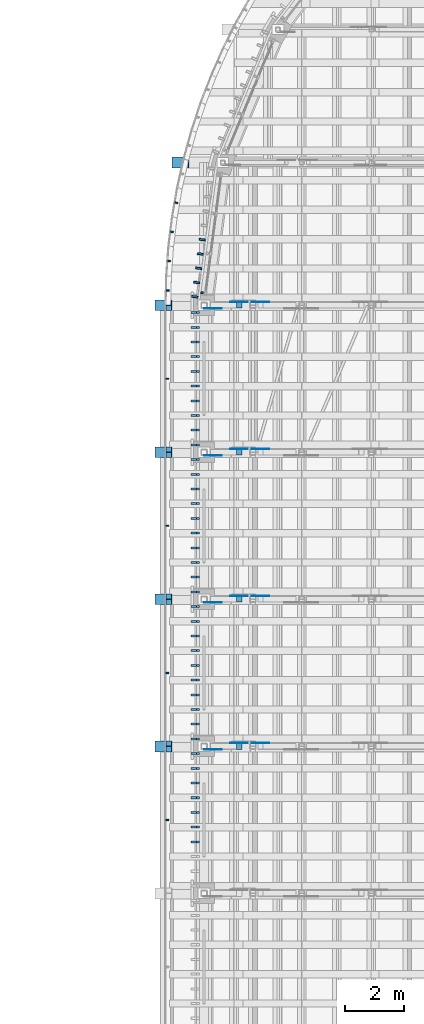
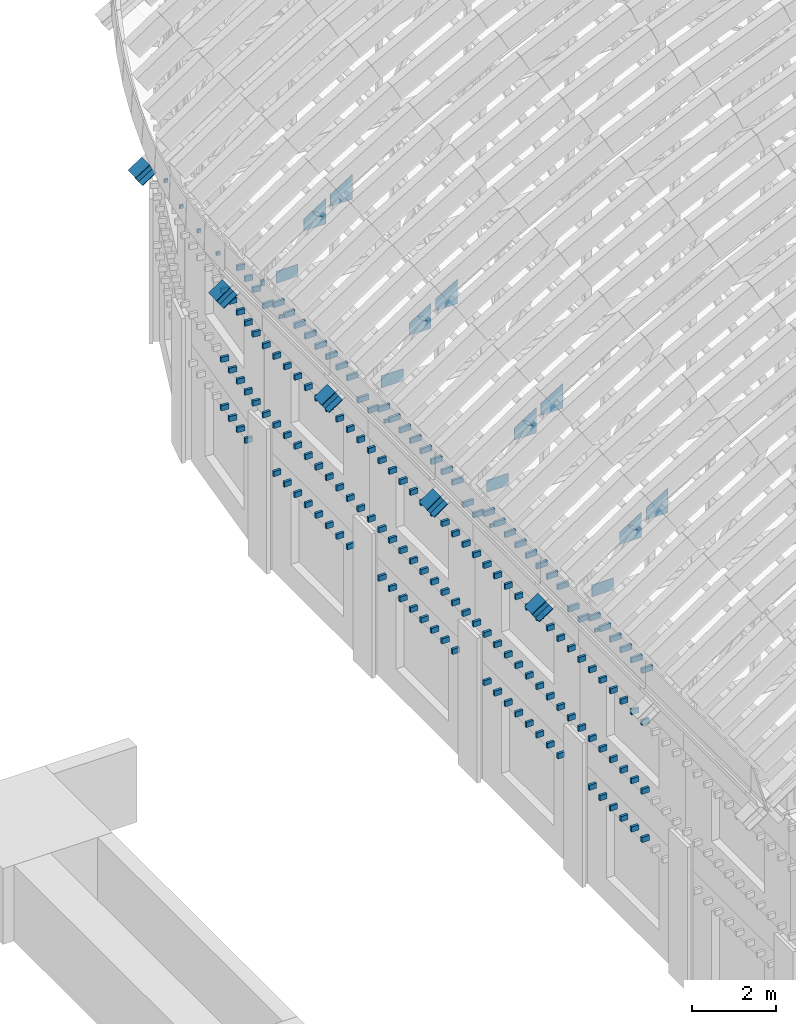
# One storey, part 74 of 105: 188 discrete accessories.
"""IFC4 building model written with IfcOpenShell, lengths in metres."""

from ifc_helpers import new_model, si_unit, direction, frame, origin, origin_2d, place, context, subcontext, project, spatial, polyline, rectangle, i_section, outline, extrude, material, material_profile, profile_set, type_object, element, save


model = new_model("IFC4")

# Units and contexts
model_context = context("Model", 3, precision=1e-05, world=origin(), true_north=direction((0.0, 1.0)))
body_context = subcontext(model_context, "Body", "Model", "MODEL_VIEW")
ifc_project = project(units=[si_unit("LENGTHUNIT", "METRE"), si_unit("AREAUNIT", "SQUARE_METRE"), si_unit("VOLUMEUNIT", "CUBIC_METRE"), si_unit("PLANEANGLEUNIT", "RADIAN"), si_unit("MASSUNIT", "GRAM", prefix="KILO")], contexts=[model_context])

# Site, building, storey
site_placement = place(None, origin())
site = spatial("IfcSite", under=ifc_project, at=site_placement, CompositionType="ELEMENT")
building_placement = place(site_placement, origin())
building = spatial("IfcBuilding", under=site, at=building_placement, Name="Wasatch Bagh Community Centre", CompositionType="ELEMENT")
storey_placement = place(building_placement, frame((0.0, 0.0, 16.800048828125)))
storey = spatial("IfcBuildingStorey", under=building, at=storey_placement, Name="L04", CompositionType="ELEMENT", Elevation=16.800048828125)

# Discrete accessories
ifc_material_1 = material(Name="ASTM A36 steel", Category="steel")
discrete_accessory_type_1 = type_object("IfcDiscreteAccessoryType", Name="MH fascia bracket", PredefinedType="BRACKET", material=ifc_material_1)
for number, where, z_axis, x_axis, name in (
    (1, (16.0, 47.5, 8.954345703125), (0.0, 0.0, 1.0), (-1.0, 0.0, 0.0), "Fascia bracket 80"),
    (2, (16.0, 52.5, 8.954345703125), (0.0, 0.0, 1.0), (-1.0, 0.0, 0.0), "Fascia bracket 81"),
    (3, (16.0, 57.5, 8.954345703125), (0.0, 0.0, 1.0), (-1.0, 0.0, 0.0), "Fascia bracket 82"),
    (4, (16.0, 62.5, 8.954345703125), (0.0, 0.0, 1.0), (-1.0, 0.0, 0.0), "Fascia bracket 83"),
    (5, (16.01220703125, 65.50048828125, 8.962646484375), (0.0, 0.0, 1.0), (-0.999698818696, 0.024541228523, 0.0), "Fascia bracket 84"),
    (6, (16.061279296875, 66.500244140625, 8.995849609375), (0.0, 0.0, 1.0), (-0.997290456679, 0.0735645636, 0.0), "Fascia bracket 85"),
    (7, (16.159423828125, 67.496337890625, 9.061767578125), (0.0, 0.0, 1.0), (-0.992479534599, 0.122410675199, 0.0), "Fascia bracket 86"),
    (8, (16.306396484375, 68.486572265625, 9.16064453125), (0.0, 0.0, 1.0), (-0.985277642389, 0.17096188876, 0.0), "Fascia bracket 87"),
):
    element("IfcDiscreteAccessory", number, at=place(storey_placement, frame(where, z_axis=z_axis, x_axis=x_axis)), inside=storey, type_object=discrete_accessory_type_1, Name=name, PredefinedType="BRACKET", context=body_context, shape_type="SweptSolid", body=[
        extrude(rectangle(XDim=0.10009765625, YDim=0.050048828125, at=origin_2d()), origin(), (0.0, 0.0, 1.0), 0.10009765625),
    ])
discrete_accessory_type_2 = type_object("IfcDiscreteAccessoryType", Name="MH fin bracket", PredefinedType="BRACKET", material=ifc_material_1)
for number, where, z_axis, x_axis, name in (
    (9, (17.1904296875, 67.2294921875, 3.02490234375), (0.0, 0.0, 1.0), (-0.13052619222, -0.991444861374, 0.0), "Fin bracket 30.6.4"),
    (10, (17.1904296875, 67.2294921875, 4.425048828125), (0.0, 0.0, 1.0), (-0.13052619222, -0.991444861374, 0.0), "Fin bracket 30.6.5"),
    (11, (17.1904296875, 67.2294921875, 6.425048828125), (0.0, 0.0, 1.0), (-0.13052619222, -0.991444861374, 0.0), "Fin bracket 30.6.6"),
    (12, (17.126708984375, 66.744140625, 3.02490234375), (0.0, 0.0, 1.0), (-0.13052619222, -0.991444861374, 0.0), "Fin bracket 30.7.4"),
    (13, (17.126708984375, 66.744140625, 4.425048828125), (0.0, 0.0, 1.0), (-0.13052619222, -0.991444861374, 0.0), "Fin bracket 30.7.5"),
    (14, (17.126708984375, 66.744140625, 6.425048828125), (0.0, 0.0, 1.0), (-0.13052619222, -0.991444861374, 0.0), "Fin bracket 30.7.6"),
    (15, (17.062744140625, 66.2587890625, 3.02490234375), (0.0, 0.0, 1.0), (-0.13052619222, -0.991444861374, 0.0), "Fin bracket 30.8.4"),
    (16, (17.062744140625, 66.2587890625, 4.425048828125), (0.0, 0.0, 1.0), (-0.13052619222, -0.991444861374, 0.0), "Fin bracket 30.8.5"),
    (17, (17.062744140625, 66.2587890625, 6.425048828125), (0.0, 0.0, 1.0), (-0.13052619222, -0.991444861374, 0.0), "Fin bracket 30.8.6"),
    (18, (16.998779296875, 65.773681640625, 3.02490234375), (0.0, 0.0, 1.0), (-0.13052619222, -0.991444861374, 0.0), "Fin bracket 30.9.4"),
    (19, (16.998779296875, 65.773681640625, 4.425048828125), (0.0, 0.0, 1.0), (-0.13052619222, -0.991444861374, 0.0), "Fin bracket 30.9.5"),
    (20, (16.998779296875, 65.773681640625, 6.425048828125), (0.0, 0.0, 1.0), (-0.13052619222, -0.991444861374, 0.0), "Fin bracket 30.9.6"),
    (21, (16.93505859375, 65.288330078125, 4.425048828125), (0.0, 0.0, 1.0), (-0.13052619222, -0.991444861374, 0.0), "Fin bracket 30.10.5"),
    (22, (16.93505859375, 65.288330078125, 6.425048828125), (0.0, 0.0, 1.0), (-0.13052619222, -0.991444861374, 0.0), "Fin bracket 30.10.6"),
    (23, (16.89990234375, 64.75, 4.425048828125), (0.0, 0.0, 1.0), (0.0, -1.0, 0.0), "Fin bracket 31.1.5"),
    (24, (16.89990234375, 64.75, 6.425048828125), (0.0, 0.0, 1.0), (0.0, -1.0, 0.0), "Fin bracket 31.1.6"),
    (25, (16.89990234375, 64.25, 3.02490234375), (0.0, 0.0, 1.0), (0.0, -1.0, 0.0), "Fin bracket 31.2.4"),
    (26, (16.89990234375, 64.25, 4.425048828125), (0.0, 0.0, 1.0), (0.0, -1.0, 0.0), "Fin bracket 31.2.5"),
    (27, (16.89990234375, 64.25, 6.425048828125), (0.0, 0.0, 1.0), (0.0, -1.0, 0.0), "Fin bracket 31.2.6"),
    (28, (16.89990234375, 63.75, 3.02490234375), (0.0, 0.0, 1.0), (0.0, -1.0, 0.0), "Fin bracket 31.3.4"),
    (29, (16.89990234375, 63.75, 4.425048828125), (0.0, 0.0, 1.0), (0.0, -1.0, 0.0), "Fin bracket 31.3.5"),
    (30, (16.89990234375, 63.75, 6.425048828125), (0.0, 0.0, 1.0), (0.0, -1.0, 0.0), "Fin bracket 31.3.6"),
    (31, (16.89990234375, 63.25, 3.02490234375), (0.0, 0.0, 1.0), (0.0, -1.0, 0.0), "Fin bracket 31.4.4"),
    (32, (16.89990234375, 63.25, 4.425048828125), (0.0, 0.0, 1.0), (0.0, -1.0, 0.0), "Fin bracket 31.4.5"),
    (33, (16.89990234375, 63.25, 6.425048828125), (0.0, 0.0, 1.0), (0.0, -1.0, 0.0), "Fin bracket 31.4.6"),
    (34, (16.89990234375, 62.75, 3.02490234375), (0.0, 0.0, 1.0), (0.0, -1.0, 0.0), "Fin bracket 31.5.4"),
    (35, (16.89990234375, 62.75, 4.425048828125), (0.0, 0.0, 1.0), (0.0, -1.0, 0.0), "Fin bracket 31.5.5"),
    (36, (16.89990234375, 62.75, 6.425048828125), (0.0, 0.0, 1.0), (0.0, -1.0, 0.0), "Fin bracket 31.5.6"),
    (37, (16.89990234375, 62.25, 3.02490234375), (0.0, 0.0, 1.0), (0.0, -1.0, 0.0), "Fin bracket 31.6.4"),
    (38, (16.89990234375, 62.25, 4.425048828125), (0.0, 0.0, 1.0), (0.0, -1.0, 0.0), "Fin bracket 31.6.5"),
    (39, (16.89990234375, 62.25, 6.425048828125), (0.0, 0.0, 1.0), (0.0, -1.0, 0.0), "Fin bracket 31.6.6"),
    (40, (16.89990234375, 61.75, 3.02490234375), (0.0, 0.0, 1.0), (0.0, -1.0, 0.0), "Fin bracket 31.7.4"),
    (41, (16.89990234375, 61.75, 4.425048828125), (0.0, 0.0, 1.0), (0.0, -1.0, 0.0), "Fin bracket 31.7.5"),
    (42, (16.89990234375, 61.75, 6.425048828125), (0.0, 0.0, 1.0), (0.0, -1.0, 0.0), "Fin bracket 31.7.6"),
    (43, (16.89990234375, 61.25, 3.02490234375), (0.0, 0.0, 1.0), (0.0, -1.0, 0.0), "Fin bracket 31.8.4"),
    (44, (16.89990234375, 61.25, 4.425048828125), (0.0, 0.0, 1.0), (0.0, -1.0, 0.0), "Fin bracket 31.8.5"),
    (45, (16.89990234375, 61.25, 6.425048828125), (0.0, 0.0, 1.0), (0.0, -1.0, 0.0), "Fin bracket 31.8.6"),
    (46, (16.89990234375, 60.75, 3.02490234375), (0.0, 0.0, 1.0), (0.0, -1.0, 0.0), "Fin bracket 31.9.4"),
    (47, (16.89990234375, 60.75, 4.425048828125), (0.0, 0.0, 1.0), (0.0, -1.0, 0.0), "Fin bracket 31.9.5"),
    (48, (16.89990234375, 60.75, 6.425048828125), (0.0, 0.0, 1.0), (0.0, -1.0, 0.0), "Fin bracket 31.9.6"),
    (49, (16.89990234375, 60.25, 4.425048828125), (0.0, 0.0, 1.0), (0.0, -1.0, 0.0), "Fin bracket 31.10.5"),
    (50, (16.89990234375, 60.25, 6.425048828125), (0.0, 0.0, 1.0), (0.0, -1.0, 0.0), "Fin bracket 31.10.6"),
    (51, (16.89990234375, 59.75, 4.425048828125), (0.0, 0.0, 1.0), (0.0, -1.0, 0.0), "Fin bracket 32.1.5"),
    (52, (16.89990234375, 59.75, 6.425048828125), (0.0, 0.0, 1.0), (0.0, -1.0, 0.0), "Fin bracket 32.1.6"),
    (53, (16.89990234375, 59.25, 3.02490234375), (0.0, 0.0, 1.0), (0.0, -1.0, 0.0), "Fin bracket 32.2.4"),
    (54, (16.89990234375, 59.25, 4.425048828125), (0.0, 0.0, 1.0), (0.0, -1.0, 0.0), "Fin bracket 32.2.5"),
    (55, (16.89990234375, 59.25, 6.425048828125), (0.0, 0.0, 1.0), (0.0, -1.0, 0.0), "Fin bracket 32.2.6"),
    (56, (16.89990234375, 58.75, 3.02490234375), (0.0, 0.0, 1.0), (0.0, -1.0, 0.0), "Fin bracket 32.3.4"),
    (57, (16.89990234375, 58.75, 4.425048828125), (0.0, 0.0, 1.0), (0.0, -1.0, 0.0), "Fin bracket 32.3.5"),
    (58, (16.89990234375, 58.75, 6.425048828125), (0.0, 0.0, 1.0), (0.0, -1.0, 0.0), "Fin bracket 32.3.6"),
    (59, (16.89990234375, 58.25, 3.02490234375), (0.0, 0.0, 1.0), (0.0, -1.0, 0.0), "Fin bracket 32.4.4"),
    (60, (16.89990234375, 58.25, 4.425048828125), (0.0, 0.0, 1.0), (0.0, -1.0, 0.0), "Fin bracket 32.4.5"),
    (61, (16.89990234375, 58.25, 6.425048828125), (0.0, 0.0, 1.0), (0.0, -1.0, 0.0), "Fin bracket 32.4.6"),
    (62, (16.89990234375, 57.75, 3.02490234375), (0.0, 0.0, 1.0), (0.0, -1.0, 0.0), "Fin bracket 32.5.4"),
    (63, (16.89990234375, 57.75, 4.425048828125), (0.0, 0.0, 1.0), (0.0, -1.0, 0.0), "Fin bracket 32.5.5"),
    (64, (16.89990234375, 57.75, 6.425048828125), (0.0, 0.0, 1.0), (0.0, -1.0, 0.0), "Fin bracket 32.5.6"),
    (65, (16.89990234375, 57.25, 3.02490234375), (0.0, 0.0, 1.0), (0.0, -1.0, 0.0), "Fin bracket 32.6.4"),
    (66, (16.89990234375, 57.25, 4.425048828125), (0.0, 0.0, 1.0), (0.0, -1.0, 0.0), "Fin bracket 32.6.5"),
    (67, (16.89990234375, 57.25, 6.425048828125), (0.0, 0.0, 1.0), (0.0, -1.0, 0.0), "Fin bracket 32.6.6"),
    (68, (16.89990234375, 56.75, 3.02490234375), (0.0, 0.0, 1.0), (0.0, -1.0, 0.0), "Fin bracket 32.7.4"),
    (69, (16.89990234375, 56.75, 4.425048828125), (0.0, 0.0, 1.0), (0.0, -1.0, 0.0), "Fin bracket 32.7.5"),
    (70, (16.89990234375, 56.75, 6.425048828125), (0.0, 0.0, 1.0), (0.0, -1.0, 0.0), "Fin bracket 32.7.6"),
    (71, (16.89990234375, 56.25, 3.02490234375), (0.0, 0.0, 1.0), (0.0, -1.0, 0.0), "Fin bracket 32.8.4"),
    (72, (16.89990234375, 56.25, 4.425048828125), (0.0, 0.0, 1.0), (0.0, -1.0, 0.0), "Fin bracket 32.8.5"),
    (73, (16.89990234375, 56.25, 6.425048828125), (0.0, 0.0, 1.0), (0.0, -1.0, 0.0), "Fin bracket 32.8.6"),
    (74, (16.89990234375, 55.75, 3.02490234375), (0.0, 0.0, 1.0), (0.0, -1.0, 0.0), "Fin bracket 32.9.4"),
    (75, (16.89990234375, 55.75, 4.425048828125), (0.0, 0.0, 1.0), (0.0, -1.0, 0.0), "Fin bracket 32.9.5"),
    (76, (16.89990234375, 55.75, 6.425048828125), (0.0, 0.0, 1.0), (0.0, -1.0, 0.0), "Fin bracket 32.9.6"),
    (77, (16.89990234375, 55.25, 4.425048828125), (0.0, 0.0, 1.0), (0.0, -1.0, 0.0), "Fin bracket 32.10.5"),
    (78, (16.89990234375, 55.25, 6.425048828125), (0.0, 0.0, 1.0), (0.0, -1.0, 0.0), "Fin bracket 32.10.6"),
    (79, (16.89990234375, 54.75, 4.425048828125), (0.0, 0.0, 1.0), (0.0, -1.0, 0.0), "Fin bracket 33.1.5"),
    (80, (16.89990234375, 54.75, 6.425048828125), (0.0, 0.0, 1.0), (0.0, -1.0, 0.0), "Fin bracket 33.1.6"),
    (81, (16.89990234375, 54.25, 3.02490234375), (0.0, 0.0, 1.0), (0.0, -1.0, 0.0), "Fin bracket 33.2.4"),
    (82, (16.89990234375, 54.25, 4.425048828125), (0.0, 0.0, 1.0), (0.0, -1.0, 0.0), "Fin bracket 33.2.5"),
    (83, (16.89990234375, 54.25, 6.425048828125), (0.0, 0.0, 1.0), (0.0, -1.0, 0.0), "Fin bracket 33.2.6"),
    (84, (16.89990234375, 53.75, 3.02490234375), (0.0, 0.0, 1.0), (0.0, -1.0, 0.0), "Fin bracket 33.3.4"),
    (85, (16.89990234375, 53.75, 4.425048828125), (0.0, 0.0, 1.0), (0.0, -1.0, 0.0), "Fin bracket 33.3.5"),
    (86, (16.89990234375, 53.75, 6.425048828125), (0.0, 0.0, 1.0), (0.0, -1.0, 0.0), "Fin bracket 33.3.6"),
    (87, (16.89990234375, 53.25, 3.02490234375), (0.0, 0.0, 1.0), (0.0, -1.0, 0.0), "Fin bracket 33.4.4"),
    (88, (16.89990234375, 53.25, 4.425048828125), (0.0, 0.0, 1.0), (0.0, -1.0, 0.0), "Fin bracket 33.4.5"),
    (89, (16.89990234375, 53.25, 6.425048828125), (0.0, 0.0, 1.0), (0.0, -1.0, 0.0), "Fin bracket 33.4.6"),
    (90, (16.89990234375, 52.75, 3.02490234375), (0.0, 0.0, 1.0), (0.0, -1.0, 0.0), "Fin bracket 33.5.4"),
    (91, (16.89990234375, 52.75, 4.425048828125), (0.0, 0.0, 1.0), (0.0, -1.0, 0.0), "Fin bracket 33.5.5"),
    (92, (16.89990234375, 52.75, 6.425048828125), (0.0, 0.0, 1.0), (0.0, -1.0, 0.0), "Fin bracket 33.5.6"),
    (93, (16.89990234375, 52.25, 3.02490234375), (0.0, 0.0, 1.0), (0.0, -1.0, 0.0), "Fin bracket 33.6.4"),
    (94, (16.89990234375, 52.25, 4.425048828125), (0.0, 0.0, 1.0), (0.0, -1.0, 0.0), "Fin bracket 33.6.5"),
    (95, (16.89990234375, 52.25, 6.425048828125), (0.0, 0.0, 1.0), (0.0, -1.0, 0.0), "Fin bracket 33.6.6"),
    (96, (16.89990234375, 51.75, 3.02490234375), (0.0, 0.0, 1.0), (0.0, -1.0, 0.0), "Fin bracket 33.7.4"),
    (97, (16.89990234375, 51.75, 4.425048828125), (0.0, 0.0, 1.0), (0.0, -1.0, 0.0), "Fin bracket 33.7.5"),
    (98, (16.89990234375, 51.75, 6.425048828125), (0.0, 0.0, 1.0), (0.0, -1.0, 0.0), "Fin bracket 33.7.6"),
    (99, (16.89990234375, 51.25, 3.02490234375), (0.0, 0.0, 1.0), (0.0, -1.0, 0.0), "Fin bracket 33.8.4"),
    (100, (16.89990234375, 51.25, 4.425048828125), (0.0, 0.0, 1.0), (0.0, -1.0, 0.0), "Fin bracket 33.8.5"),
    (101, (16.89990234375, 51.25, 6.425048828125), (0.0, 0.0, 1.0), (0.0, -1.0, 0.0), "Fin bracket 33.8.6"),
    (102, (16.89990234375, 50.75, 3.02490234375), (0.0, 0.0, 1.0), (0.0, -1.0, 0.0), "Fin bracket 33.9.4"),
    (103, (16.89990234375, 50.75, 4.425048828125), (0.0, 0.0, 1.0), (0.0, -1.0, 0.0), "Fin bracket 33.9.5"),
    (104, (16.89990234375, 50.75, 6.425048828125), (0.0, 0.0, 1.0), (0.0, -1.0, 0.0), "Fin bracket 33.9.6"),
    (105, (16.89990234375, 50.25, 4.425048828125), (0.0, 0.0, 1.0), (0.0, -1.0, 0.0), "Fin bracket 33.10.5"),
    (106, (16.89990234375, 50.25, 6.425048828125), (0.0, 0.0, 1.0), (0.0, -1.0, 0.0), "Fin bracket 33.10.6"),
    (107, (16.89990234375, 49.75, 4.425048828125), (0.0, 0.0, 1.0), (0.0, -1.0, 0.0), "Fin bracket 34.1.5"),
    (108, (16.89990234375, 49.75, 6.425048828125), (0.0, 0.0, 1.0), (0.0, -1.0, 0.0), "Fin bracket 34.1.6"),
    (109, (16.89990234375, 49.25, 3.02490234375), (0.0, 0.0, 1.0), (0.0, -1.0, 0.0), "Fin bracket 34.2.4"),
    (110, (16.89990234375, 49.25, 4.425048828125), (0.0, 0.0, 1.0), (0.0, -1.0, 0.0), "Fin bracket 34.2.5"),
    (111, (16.89990234375, 49.25, 6.425048828125), (0.0, 0.0, 1.0), (0.0, -1.0, 0.0), "Fin bracket 34.2.6"),
    (112, (16.89990234375, 48.75, 3.02490234375), (0.0, 0.0, 1.0), (0.0, -1.0, 0.0), "Fin bracket 34.3.4"),
    (113, (16.89990234375, 48.75, 4.425048828125), (0.0, 0.0, 1.0), (0.0, -1.0, 0.0), "Fin bracket 34.3.5"),
    (114, (16.89990234375, 48.75, 6.425048828125), (0.0, 0.0, 1.0), (0.0, -1.0, 0.0), "Fin bracket 34.3.6"),
    (115, (16.89990234375, 48.25, 3.02490234375), (0.0, 0.0, 1.0), (0.0, -1.0, 0.0), "Fin bracket 34.4.4"),
    (116, (16.89990234375, 48.25, 4.425048828125), (0.0, 0.0, 1.0), (0.0, -1.0, 0.0), "Fin bracket 34.4.5"),
    (117, (16.89990234375, 48.25, 6.425048828125), (0.0, 0.0, 1.0), (0.0, -1.0, 0.0), "Fin bracket 34.4.6"),
    (118, (16.89990234375, 47.75, 3.02490234375), (0.0, 0.0, 1.0), (0.0, -1.0, 0.0), "Fin bracket 34.5.4"),
    (119, (16.89990234375, 47.75, 4.425048828125), (0.0, 0.0, 1.0), (0.0, -1.0, 0.0), "Fin bracket 34.5.5"),
    (120, (16.89990234375, 47.75, 6.425048828125), (0.0, 0.0, 1.0), (0.0, -1.0, 0.0), "Fin bracket 34.5.6"),
    (121, (16.89990234375, 47.25, 3.02490234375), (0.0, 0.0, 1.0), (0.0, -1.0, 0.0), "Fin bracket 34.6.4"),
    (122, (16.89990234375, 47.25, 4.425048828125), (0.0, 0.0, 1.0), (0.0, -1.0, 0.0), "Fin bracket 34.6.5"),
    (123, (16.89990234375, 47.25, 6.425048828125), (0.0, 0.0, 1.0), (0.0, -1.0, 0.0), "Fin bracket 34.6.6"),
    (124, (16.89990234375, 46.75, 3.02490234375), (0.0, 0.0, 1.0), (0.0, -1.0, 0.0), "Fin bracket 34.7.4"),
    (125, (16.89990234375, 46.75, 4.425048828125), (0.0, 0.0, 1.0), (0.0, -1.0, 0.0), "Fin bracket 34.7.5"),
    (126, (16.89990234375, 46.75, 6.425048828125), (0.0, 0.0, 1.0), (0.0, -1.0, 0.0), "Fin bracket 34.7.6"),
):
    element("IfcDiscreteAccessory", number, at=place(storey_placement, frame(where, z_axis=z_axis, x_axis=x_axis)), inside=storey, type_object=discrete_accessory_type_2, Name=name, PredefinedType="BRACKET", context=body_context, shape_type="SweptSolid", body=[
        extrude(rectangle(XDim=0.070068359375, YDim=0.199951171875, at=origin_2d()), origin(), (0.0, 0.0, 1.0), 0.14990234375),
    ])
discrete_accessory_type_3 = type_object("IfcDiscreteAccessoryType", Name="MH fin bracket (rail)", PredefinedType="BRACKET", material=ifc_material_1)
for number, where, z_axis, x_axis, name in (
    (127, (17.067626953125, 66.25830078125, 7.715087890625), (0.0, 0.0, 1.0), (-0.13052619222, -0.991444861374, 0.0), "Fin bracket 30.8.r1"),
    (128, (17.00390625, 65.77294921875, 7.715087890625), (0.0, 0.0, 1.0), (-0.13052619222, -0.991444861374, 0.0), "Fin bracket 30.9.r1"),
    (129, (16.93994140625, 65.28759765625, 7.715087890625), (0.0, 0.0, 1.0), (-0.13052619222, -0.991444861374, 0.0), "Fin bracket 30.10.r1"),
):
    element("IfcDiscreteAccessory", number, at=place(storey_placement, frame(where, z_axis=z_axis, x_axis=x_axis)), inside=storey, type_object=discrete_accessory_type_3, Name=name, PredefinedType="BRACKET", context=body_context, shape_type="SweptSolid", body=[
        extrude(rectangle(XDim=0.070068359375, YDim=0.2099609375, at=origin_2d()), origin(), (0.0, 0.0, 1.0), 0.14990234375),
    ])
discrete_accessory_type_4 = type_object("IfcDiscreteAccessoryType", Name="MH fin bracket (upstand)", PredefinedType="BRACKET", material=ifc_material_1)
for number, where, z_axis, x_axis, name in (
    (130, (16.949951171875, 64.75, 7.5849609375), (0.0, 0.0, 1.0), (0.0, -1.0, 0.0), "Fin bracket 31.1.7"),
    (131, (16.949951171875, 64.25, 7.925048828125), (0.0, 0.0, 1.0), (0.0, -1.0, 0.0), "Fin bracket 31.2.7"),
    (132, (16.949951171875, 63.75, 7.925048828125), (0.0, 0.0, 1.0), (0.0, -1.0, 0.0), "Fin bracket 31.3.7"),
    (133, (16.949951171875, 63.25, 7.925048828125), (0.0, 0.0, 1.0), (0.0, -1.0, 0.0), "Fin bracket 31.4.7"),
    (134, (16.949951171875, 62.75, 7.925048828125), (0.0, 0.0, 1.0), (0.0, -1.0, 0.0), "Fin bracket 31.5.7"),
    (135, (16.949951171875, 62.25, 7.925048828125), (0.0, 0.0, 1.0), (0.0, -1.0, 0.0), "Fin bracket 31.6.7"),
    (136, (16.949951171875, 61.75, 7.925048828125), (0.0, 0.0, 1.0), (0.0, -1.0, 0.0), "Fin bracket 31.7.7"),
    (137, (16.949951171875, 61.25, 7.925048828125), (0.0, 0.0, 1.0), (0.0, -1.0, 0.0), "Fin bracket 31.8.7"),
    (138, (16.949951171875, 60.75, 7.925048828125), (0.0, 0.0, 1.0), (0.0, -1.0, 0.0), "Fin bracket 31.9.7"),
    (139, (16.949951171875, 60.25, 7.5849609375), (0.0, 0.0, 1.0), (0.0, -1.0, 0.0), "Fin bracket 31.10.7"),
    (140, (16.949951171875, 59.75, 7.5849609375), (0.0, 0.0, 1.0), (0.0, -1.0, 0.0), "Fin bracket 32.1.7"),
    (141, (16.949951171875, 59.25, 7.925048828125), (0.0, 0.0, 1.0), (0.0, -1.0, 0.0), "Fin bracket 32.2.7"),
    (142, (16.949951171875, 58.75, 7.925048828125), (0.0, 0.0, 1.0), (0.0, -1.0, 0.0), "Fin bracket 32.3.7"),
    (143, (16.949951171875, 58.25, 7.925048828125), (0.0, 0.0, 1.0), (0.0, -1.0, 0.0), "Fin bracket 32.4.7"),
    (144, (16.949951171875, 57.75, 7.925048828125), (0.0, 0.0, 1.0), (0.0, -1.0, 0.0), "Fin bracket 32.5.7"),
    (145, (16.949951171875, 57.25, 7.925048828125), (0.0, 0.0, 1.0), (0.0, -1.0, 0.0), "Fin bracket 32.6.7"),
    (146, (16.949951171875, 56.75, 7.925048828125), (0.0, 0.0, 1.0), (0.0, -1.0, 0.0), "Fin bracket 32.7.7"),
    (147, (16.949951171875, 56.25, 7.925048828125), (0.0, 0.0, 1.0), (0.0, -1.0, 0.0), "Fin bracket 32.8.7"),
    (148, (16.949951171875, 55.75, 7.925048828125), (0.0, 0.0, 1.0), (0.0, -1.0, 0.0), "Fin bracket 32.9.7"),
    (149, (16.949951171875, 55.25, 7.5849609375), (0.0, 0.0, 1.0), (0.0, -1.0, 0.0), "Fin bracket 32.10.7"),
    (150, (16.949951171875, 54.75, 7.5849609375), (0.0, 0.0, 1.0), (0.0, -1.0, 0.0), "Fin bracket 33.1.7"),
    (151, (16.949951171875, 54.25, 7.925048828125), (0.0, 0.0, 1.0), (0.0, -1.0, 0.0), "Fin bracket 33.2.7"),
    (152, (16.949951171875, 53.75, 7.925048828125), (0.0, 0.0, 1.0), (0.0, -1.0, 0.0), "Fin bracket 33.3.7"),
    (153, (16.949951171875, 53.25, 7.925048828125), (0.0, 0.0, 1.0), (0.0, -1.0, 0.0), "Fin bracket 33.4.7"),
    (154, (16.949951171875, 52.75, 7.925048828125), (0.0, 0.0, 1.0), (0.0, -1.0, 0.0), "Fin bracket 33.5.7"),
    (155, (16.949951171875, 52.25, 7.925048828125), (0.0, 0.0, 1.0), (0.0, -1.0, 0.0), "Fin bracket 33.6.7"),
    (156, (16.949951171875, 51.75, 7.925048828125), (0.0, 0.0, 1.0), (0.0, -1.0, 0.0), "Fin bracket 33.7.7"),
    (157, (16.949951171875, 51.25, 7.925048828125), (0.0, 0.0, 1.0), (0.0, -1.0, 0.0), "Fin bracket 33.8.7"),
    (158, (16.949951171875, 50.75, 7.925048828125), (0.0, 0.0, 1.0), (0.0, -1.0, 0.0), "Fin bracket 33.9.7"),
    (159, (16.949951171875, 50.25, 7.5849609375), (0.0, 0.0, 1.0), (0.0, -1.0, 0.0), "Fin bracket 33.10.7"),
    (160, (16.949951171875, 49.75, 7.5849609375), (0.0, 0.0, 1.0), (0.0, -1.0, 0.0), "Fin bracket 34.1.7"),
    (161, (16.949951171875, 49.25, 7.925048828125), (0.0, 0.0, 1.0), (0.0, -1.0, 0.0), "Fin bracket 34.2.7"),
    (162, (16.949951171875, 48.75, 7.925048828125), (0.0, 0.0, 1.0), (0.0, -1.0, 0.0), "Fin bracket 34.3.7"),
    (163, (16.949951171875, 48.25, 7.925048828125), (0.0, 0.0, 1.0), (0.0, -1.0, 0.0), "Fin bracket 34.4.7"),
    (164, (16.949951171875, 47.75, 7.925048828125), (0.0, 0.0, 1.0), (0.0, -1.0, 0.0), "Fin bracket 34.5.7"),
    (165, (16.949951171875, 47.25, 7.925048828125), (0.0, 0.0, 1.0), (0.0, -1.0, 0.0), "Fin bracket 34.6.7"),
    (166, (16.949951171875, 46.75, 7.925048828125), (0.0, 0.0, 1.0), (0.0, -1.0, 0.0), "Fin bracket 34.7.7"),
):
    element("IfcDiscreteAccessory", number, at=place(storey_placement, frame(where, z_axis=z_axis, x_axis=x_axis)), inside=storey, type_object=discrete_accessory_type_4, Name=name, PredefinedType="BRACKET", context=body_context, shape_type="SweptSolid", body=[
        extrude(rectangle(XDim=0.070068359375, YDim=0.300048828125, at=origin_2d()), origin(), (0.0, 0.0, 1.0), 0.14990234375),
    ])
discrete_accessory_type_5 = type_object("IfcDiscreteAccessoryType", Name="MH fin rail stand-off", PredefinedType="BRACKET", material=ifc_material_1)
discrete_accessory_1_placement = place(storey_placement, frame((17.185302734375, 65.428466796875, 7.715087890625), z_axis=(0.0, 0.0, 1.0), x_axis=(-0.13052619222, -0.991444861374, 0.0)))
element("IfcDiscreteAccessory", 167, at=discrete_accessory_1_placement, inside=storey, type_object=discrete_accessory_type_5, Name="Rail stand-off 30.1.4", PredefinedType="BRACKET", context=body_context, shape_type="SweptSolid", body=[
    extrude(rectangle(XDim=0.070068359375, YDim=0.080078125, at=origin_2d()), origin(), (0.0, 0.0, 1.0), 0.14990234375),
])
ifc_material_2 = material(Name="ASTM A992 Grade 50 steel", Category="steel")
ifc_material_profile_1 = material_profile(ifc_material_2, i_section(OverallWidth=0.373291015625, OverallDepth=0.368408203125, WebThickness=0.014892578125, FlangeThickness=0.02392578125, at=origin_2d()), Name="W14x120")
ifc_profile_set_1 = profile_set([ifc_material_profile_1], Name="ASTM A992 Grade 50 steel")
discrete_accessory_type_6 = type_object("IfcDiscreteAccessoryType", Name="MH steel truss tail W14x120", PredefinedType="BRACKET", material=ifc_profile_set_1)
for number, where, z_axis, x_axis, name in (
    (168, (16.050048828125, 50.0, 8.309326171875), (-0.828949288675, 0.0, -0.559323767424), (0.0, -1.0, 0.0), "Truss tail TA4"),
    (169, (16.050048828125, 55.0, 8.309326171875), (-0.828949288675, 0.0, -0.559323767424), (0.0, -1.0, 0.0), "Truss tail TA5"),
    (170, (16.050048828125, 60.0, 8.309326171875), (-0.828949288675, 0.0, -0.559323767424), (0.0, -1.0, 0.0), "Truss tail TA6"),
    (171, (16.050048828125, 65.0, 8.309326171875), (-0.828949288675, 0.0, -0.559323767424), (0.0, -1.0, 0.0), "Truss tail TA7"),
):
    element("IfcDiscreteAccessory", number, at=place(storey_placement, frame(where, z_axis=z_axis, x_axis=x_axis)), inside=storey, type_object=discrete_accessory_type_6, Name=name, PredefinedType="BRACKET", context=body_context, shape_type="SweptSolid", body=[
        extrude(i_section(OverallWidth=0.373291015625, OverallDepth=0.368408203125, WebThickness=0.014892578125, FlangeThickness=0.02392578125, at=origin_2d()), origin(), (0.0, 0.0, 1.0), 0.449951171875),
    ])
ifc_material_profile_2 = material_profile(ifc_material_2, i_section(OverallWidth=0.368408203125, OverallDepth=0.355712890625, WebThickness=0.01123046875, FlangeThickness=0.01806640625, at=origin_2d()), Name="W14x90")
ifc_profile_set_2 = profile_set([ifc_material_profile_2], Name="ASTM A992 Grade 50 steel")
discrete_accessory_type_7 = type_object("IfcDiscreteAccessoryType", Name="MH steel truss tail W14x90", PredefinedType="BRACKET", material=ifc_profile_set_2)
discrete_accessory_2_placement = place(storey_placement, frame((16.63720703125, 69.852783203125, 8.71337890625), z_axis=(-0.844197227368, 0.0, -0.536032686787), x_axis=(0.0, -1.0, 0.0)))
element("IfcDiscreteAccessory", 172, at=discrete_accessory_2_placement, inside=storey, type_object=discrete_accessory_type_7, Name="Truss tail TN1", PredefinedType="BRACKET", context=body_context, shape_type="SweptSolid", body=[
    extrude(i_section(OverallWidth=0.368408203125, OverallDepth=0.355712890625, WebThickness=0.01123046875, FlangeThickness=0.01806640625, at=origin_2d()), origin(), (0.0, 0.0, 1.0), 0.449951171875),
])
for number, where, z_axis, x_axis, name in (
    (173, (18.441650390625, 50.0, 9.59521484375), (0.526354614616, 0.0, 0.850265146688), (0.0, 1.0, 0.0), "MH.TA4.WB01.EPB"),
    (174, (18.441650390625, 55.0, 9.59521484375), (0.526354614616, 0.0, 0.850265146688), (0.0, 1.0, 0.0), "MH.TA5.WB01.EPB"),
    (175, (18.441650390625, 60.0, 9.59521484375), (0.526354614616, 0.0, 0.850265146688), (0.0, 1.0, 0.0), "MH.TA6.WB01.EPB"),
    (176, (18.441650390625, 65.0, 9.59521484375), (0.526354614616, 0.0, 0.850265146688), (0.0, 1.0, 0.0), "MH.TA7.WB01.EPB"),
):
    element("IfcDiscreteAccessory", number, at=place(storey_placement, frame(where, z_axis=z_axis, x_axis=x_axis)), inside=storey, Name=name, PredefinedType="NOTDEFINED", context=body_context, shape_type="SweptSolid", body=[
        extrude(rectangle(XDim=0.203125, YDim=0.203125, at=origin_2d()), origin(), (0.0, 0.0, 1.0), 0.011962890625),
    ])
discrete_accessory_3_placement = place(storey_placement, frame((17.253662109375, 49.885986328125, 8.071044921875), z_axis=(0.0, -1.0, 0.0), x_axis=(1.0, 0.0, 0.0)))
element("IfcDiscreteAccessory", 177, at=discrete_accessory_3_placement, inside=storey, Name="Gusset plate", PredefinedType="BRACKET", context=body_context, shape_type="SweptSolid", body=[
    extrude(outline(polyline([(0.0, 0.0), (0.60009765625, 0.0), (0.60009765625, 0.35009765625), (0.0, 0.35009765625), (0.0, 0.0)])), origin(), (0.0, 0.0, -1.0), 0.011962890625),
])
discrete_accessory_4_placement = place(storey_placement, frame((18.141845703125, 50.114013671875, 9.498779296875), z_axis=(0.0, 1.0, 0.0), x_axis=(0.827827839308, 0.0, 0.560982235429)))
element("IfcDiscreteAccessory", 178, at=discrete_accessory_4_placement, inside=storey, Name="Gusset plate", PredefinedType="BRACKET", context=body_context, shape_type="SweptSolid", body=[
    extrude(outline(polyline([(0.0, 0.0), (0.16102476254170145, 1.3877787807814457e-17), (0.7121482030626562, 0.018391682953378674), (0.30031383247336385, 0.6261256460391993), (-0.19626160726786032, 0.28961847991419387), (0.0, 0.0)])), origin(), (0.0, 0.0, -1.0), 0.011962890625),
])
discrete_accessory_5_placement = place(storey_placement, frame((18.868408203125, 50.114013671875, 9.9599609375), z_axis=(0.0, 1.0, 0.0), x_axis=(0.854563028529, 0.0, 0.519347696896)))
element("IfcDiscreteAccessory", 179, at=discrete_accessory_5_placement, inside=storey, Name="Gusset plate", PredefinedType="BRACKET", context=body_context, shape_type="SweptSolid", body=[
    extrude(outline(polyline([(0.0, 0.0), (0.05170999873591953, 0.0), (0.7011551236280127, 0.0012944501589451374), (0.3307902255241295, 0.6107130552207892), (-0.1818224114621597, 0.2991805134059173), (0.0, 0.0)])), origin(), (0.0, 0.0, -1.0), 0.011962890625),
])
discrete_accessory_6_placement = place(storey_placement, frame((17.253662109375, 54.885986328125, 8.071044921875), z_axis=(0.0, -1.0, 0.0), x_axis=(1.0, 0.0, 0.0)))
element("IfcDiscreteAccessory", 180, at=discrete_accessory_6_placement, inside=storey, Name="Gusset plate", PredefinedType="BRACKET", context=body_context, shape_type="SweptSolid", body=[
    extrude(outline(polyline([(0.0, 0.0), (0.60009765625, 0.0), (0.60009765625, 0.35009765625), (0.0, 0.35009765625), (0.0, 0.0)])), origin(), (0.0, 0.0, -1.0), 0.011962890625),
])
discrete_accessory_7_placement = place(storey_placement, frame((18.141845703125, 55.114013671875, 9.498779296875), z_axis=(0.0, 1.0, 0.0), x_axis=(0.827827839308, 0.0, 0.560982235429)))
element("IfcDiscreteAccessory", 181, at=discrete_accessory_7_placement, inside=storey, Name="Gusset plate", PredefinedType="BRACKET", context=body_context, shape_type="SweptSolid", body=[
    extrude(outline(polyline([(0.0, 0.0), (0.16102476254170145, 1.3877787807814457e-17), (0.7121482030626562, 0.018391682953378674), (0.30031383247336385, 0.6261256460391993), (-0.19626160726786032, 0.28961847991419387), (0.0, 0.0)])), origin(), (0.0, 0.0, -1.0), 0.011962890625),
])
discrete_accessory_8_placement = place(storey_placement, frame((18.868408203125, 55.114013671875, 9.9599609375), z_axis=(0.0, 1.0, 0.0), x_axis=(0.854563028529, 0.0, 0.519347696896)))
element("IfcDiscreteAccessory", 182, at=discrete_accessory_8_placement, inside=storey, Name="Gusset plate", PredefinedType="BRACKET", context=body_context, shape_type="SweptSolid", body=[
    extrude(outline(polyline([(0.0, 0.0), (0.05170999873591953, 0.0), (0.7011551236280127, 0.0012944501589451374), (0.3307902255241295, 0.6107130552207892), (-0.1818224114621597, 0.2991805134059173), (0.0, 0.0)])), origin(), (0.0, 0.0, -1.0), 0.011962890625),
])
discrete_accessory_9_placement = place(storey_placement, frame((17.253662109375, 59.885986328125, 8.071044921875), z_axis=(0.0, -1.0, 0.0), x_axis=(1.0, 0.0, 0.0)))
element("IfcDiscreteAccessory", 183, at=discrete_accessory_9_placement, inside=storey, Name="Gusset plate", PredefinedType="BRACKET", context=body_context, shape_type="SweptSolid", body=[
    extrude(outline(polyline([(0.0, 0.0), (0.60009765625, 0.0), (0.60009765625, 0.35009765625), (0.0, 0.35009765625), (0.0, 0.0)])), origin(), (0.0, 0.0, -1.0), 0.011962890625),
])
discrete_accessory_10_placement = place(storey_placement, frame((18.141845703125, 60.114013671875, 9.498779296875), z_axis=(0.0, 1.0, 0.0), x_axis=(0.827827839308, 0.0, 0.560982235429)))
element("IfcDiscreteAccessory", 184, at=discrete_accessory_10_placement, inside=storey, Name="Gusset plate", PredefinedType="BRACKET", context=body_context, shape_type="SweptSolid", body=[
    extrude(outline(polyline([(0.0, 0.0), (0.16102476254170145, 1.3877787807814457e-17), (0.7121482030626562, 0.018391682953378674), (0.30031383247336385, 0.6261256460391993), (-0.19626160726786032, 0.28961847991419387), (0.0, 0.0)])), origin(), (0.0, 0.0, -1.0), 0.011962890625),
])
discrete_accessory_11_placement = place(storey_placement, frame((18.868408203125, 60.114013671875, 9.9599609375), z_axis=(0.0, 1.0, 0.0), x_axis=(0.854563028529, 0.0, 0.519347696896)))
element("IfcDiscreteAccessory", 185, at=discrete_accessory_11_placement, inside=storey, Name="Gusset plate", PredefinedType="BRACKET", context=body_context, shape_type="SweptSolid", body=[
    extrude(outline(polyline([(0.0, 0.0), (0.05170999873591953, 0.0), (0.7011551236280127, 0.0012944501589451374), (0.3307902255241295, 0.6107130552207892), (-0.1818224114621597, 0.2991805134059173), (0.0, 0.0)])), origin(), (0.0, 0.0, -1.0), 0.011962890625),
])
discrete_accessory_12_placement = place(storey_placement, frame((17.253662109375, 64.885986328125, 8.071044921875), z_axis=(0.0, -1.0, 0.0), x_axis=(1.0, 0.0, 0.0)))
element("IfcDiscreteAccessory", 186, at=discrete_accessory_12_placement, inside=storey, Name="Gusset plate", PredefinedType="BRACKET", context=body_context, shape_type="SweptSolid", body=[
    extrude(outline(polyline([(0.0, 0.0), (0.60009765625, 0.0), (0.60009765625, 0.35009765625), (0.0, 0.35009765625), (0.0, 0.0)])), origin(), (0.0, 0.0, -1.0), 0.011962890625),
])
discrete_accessory_13_placement = place(storey_placement, frame((18.141845703125, 65.114013671875, 9.498779296875), z_axis=(0.0, 1.0, 0.0), x_axis=(0.827827839308, 0.0, 0.560982235429)))
element("IfcDiscreteAccessory", 187, at=discrete_accessory_13_placement, inside=storey, Name="Gusset plate", PredefinedType="BRACKET", context=body_context, shape_type="SweptSolid", body=[
    extrude(outline(polyline([(0.0, 0.0), (0.16102476254170145, 1.3877787807814457e-17), (0.7121482030626562, 0.018391682953378674), (0.30031383247336385, 0.6261256460391993), (-0.19626160726786032, 0.28961847991419387), (0.0, 0.0)])), origin(), (0.0, 0.0, -1.0), 0.011962890625),
])
discrete_accessory_14_placement = place(storey_placement, frame((18.868408203125, 65.114013671875, 9.9599609375), z_axis=(0.0, 1.0, 0.0), x_axis=(0.854563028529, 0.0, 0.519347696896)))
element("IfcDiscreteAccessory", 188, at=discrete_accessory_14_placement, inside=storey, Name="Gusset plate", PredefinedType="BRACKET", context=body_context, shape_type="SweptSolid", body=[
    extrude(outline(polyline([(0.0, 0.0), (0.05170999873591953, 0.0), (0.7011551236280127, 0.0012944501589451374), (0.3307902255241295, 0.6107130552207892), (-0.1818224114621597, 0.2991805134059173), (0.0, 0.0)])), origin(), (0.0, 0.0, -1.0), 0.011962890625),
])

save(model, "model.ifc")
